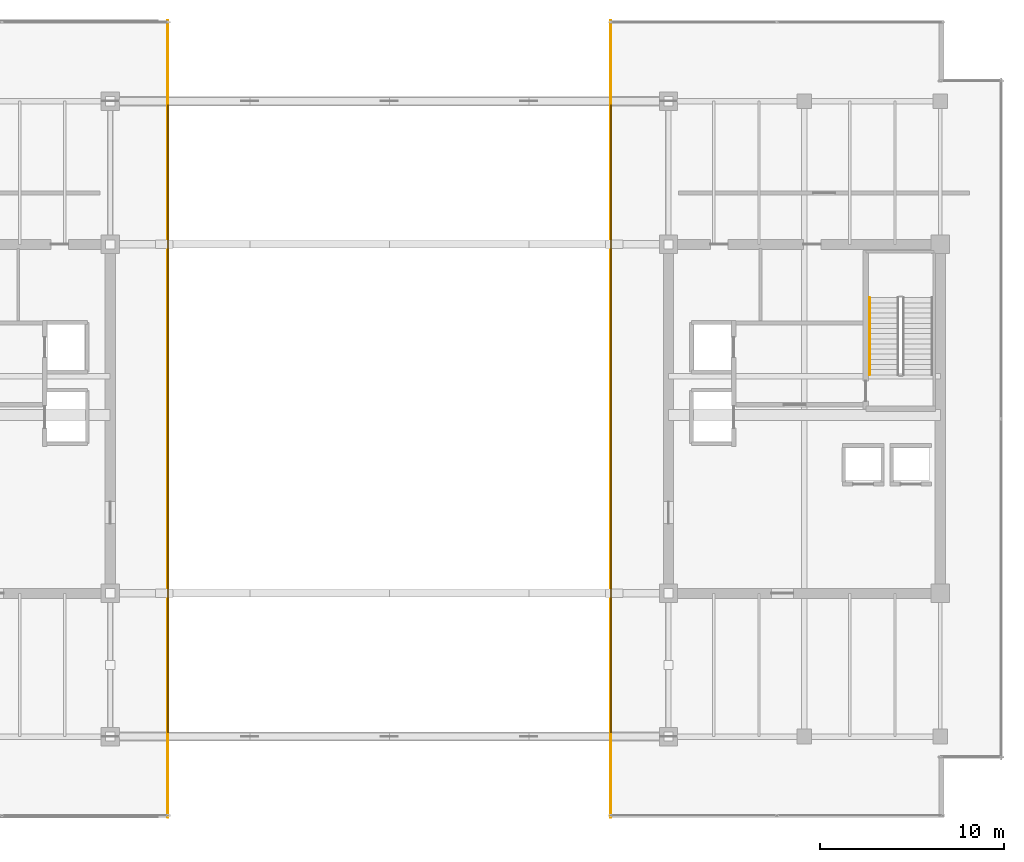
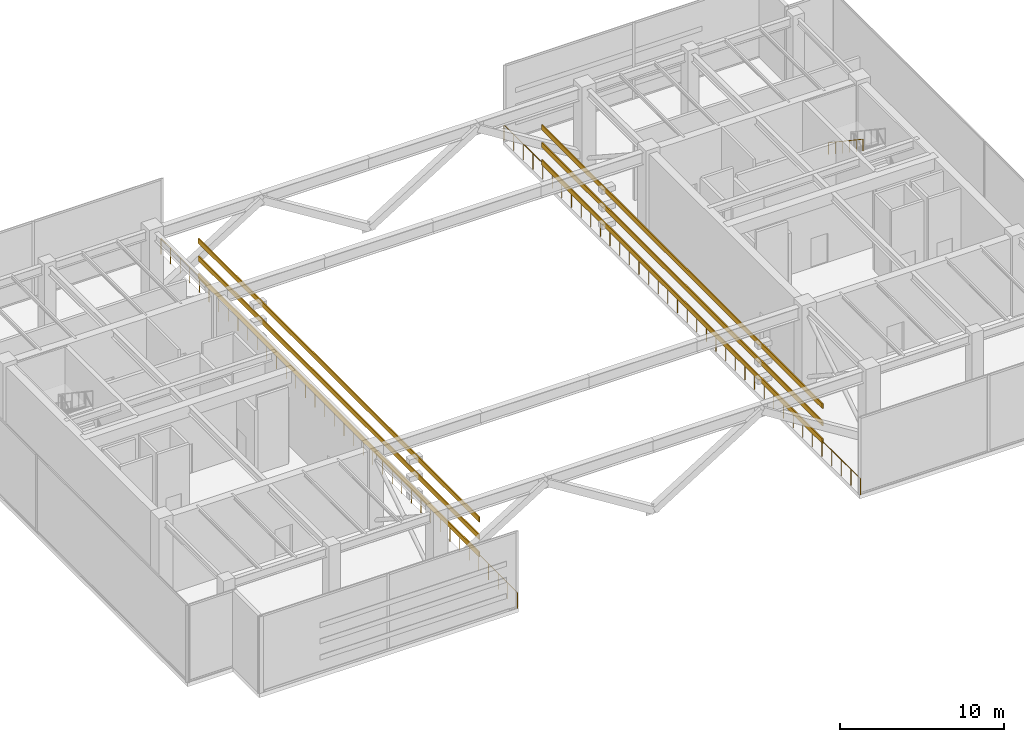
# One storey, part 28 of 30: 6 shading devices, 3 railings.
"""IFC4 building model written with IfcOpenShell, lengths in metres."""

from ifc_helpers import new_model, si_unit, direction, frame, origin, origin_2d, place, context, subcontext, project, spatial, rectangle, circle, extrude, source, transform, mapped, material, material_profile, profile_set, type_object, type_shapes, element, save


model = new_model("IFC4")

# Units and contexts
model_context = context("Model", 3, precision=1e-05, world=origin(), true_north=direction((0.0, 1.0)))
body_context = subcontext(model_context, "Body", "Model", "MODEL_VIEW")
ifc_project = project(units=[si_unit("LENGTHUNIT", "METRE"), si_unit("AREAUNIT", "SQUARE_METRE"), si_unit("VOLUMEUNIT", "CUBIC_METRE"), si_unit("PLANEANGLEUNIT", "RADIAN"), si_unit("MASSUNIT", "GRAM", prefix="KILO")], contexts=[model_context])

# Site, building, storey
site_placement = place(None, origin())
site = spatial("IfcSite", under=ifc_project, at=site_placement, CompositionType="ELEMENT")
building_placement = place(site_placement, origin())
building = spatial("IfcBuilding", under=site, at=building_placement, Name="Haelvirn Gate Laboratories", CompositionType="ELEMENT")
storey_placement = place(building_placement, frame((0.0, 0.0, 291.60009765625)))
storey = spatial("IfcBuildingStorey", under=building, at=storey_placement, Name="L70", CompositionType="ELEMENT", Elevation=291.60009765625)

# Railings
ifc_material_1 = material(Name="Galvanised & bronze-coated steel SM355", Category="steel")
railing_type_1 = type_object("IfcRailingType", Name="RLG-ROOF-1200", PredefinedType="GUARDRAIL", material=ifc_material_1)
shared_shape_1 = source(origin(), body_context, "Body", "SweptSolid", [
    extrude(circle(Radius=0.02392578125, at=origin_2d()), frame((0.0, 0.0, 1.17578125), z_axis=(0.0, 1.0, 0.0), x_axis=(-1.0, 0.0, 0.0)), (0.0, 0.0, 1.0), 43.39990234375),
    extrude(circle(Radius=0.02099609375, at=origin_2d()), origin(), (0.0, 0.0, 1.0), 1.15185546875),
    extrude(circle(Radius=0.02099609375, at=origin_2d()), frame((0.0, 1.1728515625, 0.0)), (0.0, 0.0, 1.0), 1.15185546875),
    extrude(circle(Radius=0.02099609375, at=origin_2d()), frame((0.0, 2.345947265625, 0.0)), (0.0, 0.0, 1.0), 1.15185546875),
    extrude(circle(Radius=0.02099609375, at=origin_2d()), frame((0.0, 3.518798828125, 0.0)), (0.0, 0.0, 1.0), 1.15185546875),
    extrude(circle(Radius=0.02099609375, at=origin_2d()), frame((0.0, 4.69189453125, 0.0)), (0.0, 0.0, 1.0), 1.15185546875),
    extrude(circle(Radius=0.02099609375, at=origin_2d()), frame((0.0, 5.86474609375, 0.0)), (0.0, 0.0, 1.0), 1.15185546875),
    extrude(circle(Radius=0.02099609375, at=origin_2d()), frame((0.0, 7.037841796875, 0.0)), (0.0, 0.0, 1.0), 1.15185546875),
    extrude(circle(Radius=0.02099609375, at=origin_2d()), frame((0.0, 8.210693359375, 0.0)), (0.0, 0.0, 1.0), 1.15185546875),
    extrude(circle(Radius=0.02099609375, at=origin_2d()), frame((0.0, 9.3837890625, 0.0)), (0.0, 0.0, 1.0), 1.15185546875),
    extrude(circle(Radius=0.02099609375, at=origin_2d()), frame((0.0, 10.556640625, 0.0)), (0.0, 0.0, 1.0), 1.15185546875),
    extrude(circle(Radius=0.02099609375, at=origin_2d()), frame((0.0, 11.729736328125, 0.0)), (0.0, 0.0, 1.0), 1.15185546875),
    extrude(circle(Radius=0.02099609375, at=origin_2d()), frame((0.0, 12.902587890625, 0.0)), (0.0, 0.0, 1.0), 1.15185546875),
    extrude(circle(Radius=0.02099609375, at=origin_2d()), frame((0.0, 14.07568359375, 0.0)), (0.0, 0.0, 1.0), 1.15185546875),
    extrude(circle(Radius=0.02099609375, at=origin_2d()), frame((0.0, 15.24853515625, 0.0)), (0.0, 0.0, 1.0), 1.15185546875),
    extrude(circle(Radius=0.02099609375, at=origin_2d()), frame((0.0, 16.421630859375, 0.0)), (0.0, 0.0, 1.0), 1.15185546875),
    extrude(circle(Radius=0.02099609375, at=origin_2d()), frame((0.0, 17.594482421875, 0.0)), (0.0, 0.0, 1.0), 1.15185546875),
    extrude(circle(Radius=0.02099609375, at=origin_2d()), frame((0.0, 18.767578125, 0.0)), (0.0, 0.0, 1.0), 1.15185546875),
    extrude(circle(Radius=0.02099609375, at=origin_2d()), frame((0.0, 19.9404296875, 0.0)), (0.0, 0.0, 1.0), 1.15185546875),
    extrude(circle(Radius=0.02099609375, at=origin_2d()), frame((0.0, 21.113525390625, 0.0)), (0.0, 0.0, 1.0), 1.15185546875),
    extrude(circle(Radius=0.02099609375, at=origin_2d()), frame((0.0, 22.286376953125, 0.0)), (0.0, 0.0, 1.0), 1.15185546875),
    extrude(circle(Radius=0.02099609375, at=origin_2d()), frame((0.0, 23.45947265625, 0.0)), (0.0, 0.0, 1.0), 1.15185546875),
    extrude(circle(Radius=0.02099609375, at=origin_2d()), frame((0.0, 24.63232421875, 0.0)), (0.0, 0.0, 1.0), 1.15185546875),
    extrude(circle(Radius=0.02099609375, at=origin_2d()), frame((0.0, 25.805419921875, 0.0)), (0.0, 0.0, 1.0), 1.15185546875),
    extrude(circle(Radius=0.02099609375, at=origin_2d()), frame((0.0, 26.978271484375, 0.0)), (0.0, 0.0, 1.0), 1.15185546875),
    extrude(circle(Radius=0.02099609375, at=origin_2d()), frame((0.0, 28.1513671875, 0.0)), (0.0, 0.0, 1.0), 1.15185546875),
    extrude(circle(Radius=0.02099609375, at=origin_2d()), frame((0.0, 29.32421875, 0.0)), (0.0, 0.0, 1.0), 1.15185546875),
    extrude(circle(Radius=0.02099609375, at=origin_2d()), frame((0.0, 30.497314453125, 0.0)), (0.0, 0.0, 1.0), 1.15185546875),
    extrude(circle(Radius=0.02099609375, at=origin_2d()), frame((0.0, 31.670166015625, 0.0)), (0.0, 0.0, 1.0), 1.15185546875),
    extrude(circle(Radius=0.02099609375, at=origin_2d()), frame((0.0, 32.84326171875, 0.0)), (0.0, 0.0, 1.0), 1.15185546875),
    extrude(circle(Radius=0.02099609375, at=origin_2d()), frame((0.0, 34.01611328125, 0.0)), (0.0, 0.0, 1.0), 1.15185546875),
    extrude(circle(Radius=0.02099609375, at=origin_2d()), frame((0.0, 35.189208984375, 0.0)), (0.0, 0.0, 1.0), 1.15185546875),
    extrude(circle(Radius=0.02099609375, at=origin_2d()), frame((0.0, 36.362060546875, 0.0)), (0.0, 0.0, 1.0), 1.15185546875),
    extrude(circle(Radius=0.02099609375, at=origin_2d()), frame((0.0, 37.53515625, 0.0)), (0.0, 0.0, 1.0), 1.15185546875),
    extrude(circle(Radius=0.02099609375, at=origin_2d()), frame((0.0, 38.7080078125, 0.0)), (0.0, 0.0, 1.0), 1.15185546875),
    extrude(circle(Radius=0.02099609375, at=origin_2d()), frame((0.0, 39.881103515625, 0.0)), (0.0, 0.0, 1.0), 1.15185546875),
    extrude(circle(Radius=0.02099609375, at=origin_2d()), frame((0.0, 41.053955078125, 0.0)), (0.0, 0.0, 1.0), 1.15185546875),
    extrude(circle(Radius=0.02099609375, at=origin_2d()), frame((0.0, 42.22705078125, 0.0)), (0.0, 0.0, 1.0), 1.15185546875),
    extrude(circle(Radius=0.02099609375, at=origin_2d()), frame((0.0, 43.39990234375, 0.0)), (0.0, 0.0, 1.0), 1.15185546875),
])
type_shapes(railing_type_1, [shared_shape_1])
for number, where, name in (
    (1, (25.340087890625, 2.60009765625, 0.0), "L70 Wind-Turbine Slot Guardrail W"),
    (2, (49.4599609375, 2.60009765625, 0.0), "L70 Wind-Turbine Slot Guardrail E"),
):
    element("IfcRailing", number, at=place(storey_placement, frame(where)), inside=storey, type_object=railing_type_1, Name=name, PredefinedType="GUARDRAIL", context=body_context, shape_type="MappedRepresentation", body=[
        mapped(shared_shape_1, transform((0.0, 0.0, 0.0), scale=1.0)),
    ])

# Shading devices
ifc_material_2 = material(Name="Extruded aluminium 6063-T6 (anodised bronze)", Category="aluminium")
ifc_material_profile = material_profile(ifc_material_2, rectangle(XDim=0.080078125, YDim=0.360107421875, at=origin_2d()), Name="LOUV-360x80")
ifc_profile_set = profile_set([ifc_material_profile], Name="Extruded aluminium 6063-T6 (anodised bronze)")
shading_device_type = type_object("IfcShadingDeviceType", Name="SHD-LOUV-360", PredefinedType="USERDEFINED", material=ifc_profile_set)
shared_shape_2 = source(origin(), body_context, "Body", "SweptSolid", [
    extrude(rectangle(XDim=0.080078125, YDim=0.360107421875, at=origin_2d()), origin(), (0.0, 0.0, 1.0), 34.199951171875),
])
type_shapes(shading_device_type, [shared_shape_2])
for number, where, z_axis, x_axis, name in (
    (3, (25.340087890625, 7.199951171875, 1.199951171875), (0.0, 1.0, 0.0), (-1.0, 0.0, 0.0), "L70 Wind-Turbine Shroud Louvre W-1"),
    (4, (25.340087890625, 7.199951171875, 2.5), (0.0, 1.0, 0.0), (-1.0, 0.0, 0.0), "L70 Wind-Turbine Shroud Louvre W-2"),
    (5, (25.340087890625, 7.199951171875, 3.7998046875), (0.0, 1.0, 0.0), (-1.0, 0.0, 0.0), "L70 Wind-Turbine Shroud Louvre W-3"),
    (6, (49.4599609375, 7.199951171875, 1.199951171875), (0.0, 1.0, 0.0), (-1.0, 0.0, 0.0), "L70 Wind-Turbine Shroud Louvre E-1"),
    (7, (49.4599609375, 7.199951171875, 2.5), (0.0, 1.0, 0.0), (-1.0, 0.0, 0.0), "L70 Wind-Turbine Shroud Louvre E-2"),
    (8, (49.4599609375, 7.199951171875, 3.7998046875), (0.0, 1.0, 0.0), (-1.0, 0.0, 0.0), "L70 Wind-Turbine Shroud Louvre E-3"),
):
    element("IfcShadingDevice", number, at=place(storey_placement, frame(where, z_axis=z_axis, x_axis=x_axis)), inside=storey, type_object=shading_device_type, Name=name, ObjectType="LOUVRE", PredefinedType="USERDEFINED", context=body_context, shape_type="MappedRepresentation", body=[
        mapped(shared_shape_2, transform((0.0, 0.0, 0.0), scale=1.0)),
    ])

# Railing
ifc_material_3 = material(Name="Brushed stainless steel 316L", Category="steel")
railing_type_2 = type_object("IfcRailingType", Name="RL-HAND-920", PredefinedType="HANDRAIL", material=ifc_material_3)
shared_shape_3 = source(origin(), body_context, "Body", "SweptSolid", [
    extrude(circle(Radius=0.02392578125, at=origin_2d()), frame((0.0, 0.0, 0.8759765625), z_axis=(0.0, -0.830904186295, 0.556415522067), x_axis=(1.0, 0.0, 0.0)), (0.0, 0.0, 1.0), 5.0546875),
    extrude(circle(Radius=0.02099609375, at=origin_2d()), origin(), (0.0, 0.0, 1.0), 0.851806640625),
    extrude(circle(Radius=0.02099609375, at=origin_2d()), frame((0.0, -0.840087890625, 0.5625)), (0.0, 0.0, 1.0), 0.851806640625),
    extrude(circle(Radius=0.02099609375, at=origin_2d()), frame((0.0, -1.679931640625, 1.125)), (0.0, 0.0, 1.0), 0.851806640625),
    extrude(circle(Radius=0.02099609375, at=origin_2d()), frame((0.0, -2.52001953125, 1.6875)), (0.0, 0.0, 1.0), 0.851806640625),
    extrude(circle(Radius=0.02099609375, at=origin_2d()), frame((0.0, -3.35986328125, 2.25)), (0.0, 0.0, 1.0), 0.851806640625),
    extrude(circle(Radius=0.02099609375, at=origin_2d()), frame((0.0, -4.199951171875, 2.8125)), (0.0, 0.0, 1.0), 0.851806640625),
])
type_shapes(railing_type_2, [shared_shape_3])
railing_placement = place(storey_placement, frame((63.550048828125, 30.89990234375, 3.1875)))
element("IfcRailing", 9, at=railing_placement, inside=storey, type_object=railing_type_2, Name="L70 ST2 stair handrail 2", PredefinedType="HANDRAIL", context=body_context, shape_type="MappedRepresentation", body=[
    mapped(shared_shape_3, transform((0.0, 0.0, 0.0), scale=1.0)),
])

save(model, "model.ifc")
